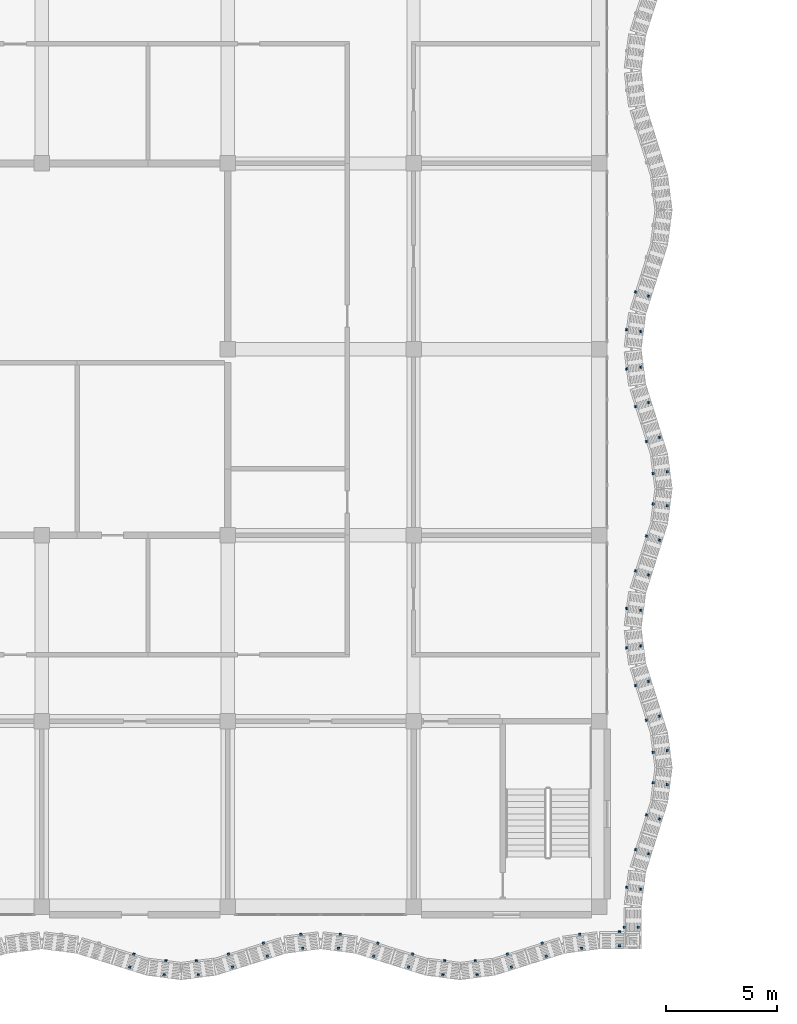
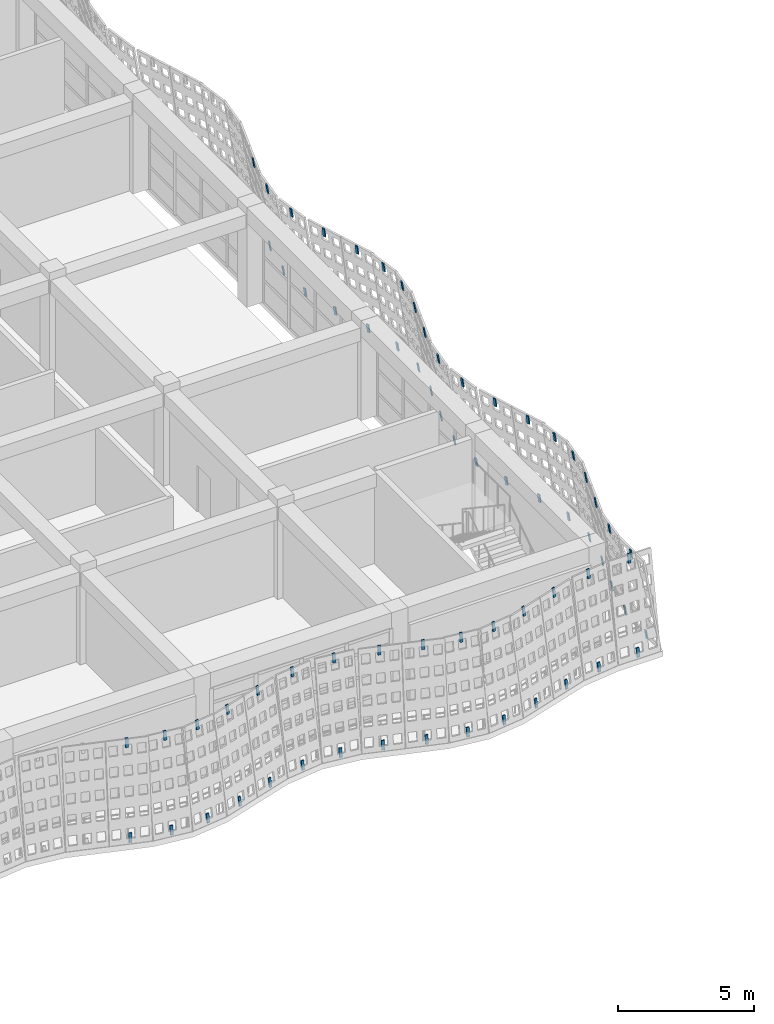
# One storey, part 101 of 162: 68 discrete accessories.
"""IFC4 building model written with IfcOpenShell, lengths in metres."""

from ifc_helpers import new_model, si_unit, direction, frame, origin, origin_2d, place, context, subcontext, project, spatial, rectangle, extrude, material, material_profile, profile_set, type_object, element, save


model = new_model("IFC4")

# Units and contexts
model_context = context("Model", 3, precision=1e-05, world=origin(), true_north=direction((0.0, 1.0)))
body_context = subcontext(model_context, "Body", "Model", "MODEL_VIEW")
ifc_project = project(units=[si_unit("LENGTHUNIT", "METRE"), si_unit("AREAUNIT", "SQUARE_METRE"), si_unit("VOLUMEUNIT", "CUBIC_METRE"), si_unit("PLANEANGLEUNIT", "RADIAN"), si_unit("MASSUNIT", "GRAM", prefix="KILO")], contexts=[model_context])

# Site, building, storey
site_placement = place(None, origin())
site = spatial("IfcSite", under=ifc_project, at=site_placement, CompositionType="ELEMENT")
building_placement = place(site_placement, origin())
building = spatial("IfcBuilding", under=site, at=building_placement, Name="Rain Tree Exposition and Congress Centre", CompositionType="ELEMENT")
storey_placement = place(building_placement, frame((0.0, 0.0, 6.0)))
storey = spatial("IfcBuildingStorey", under=building, at=storey_placement, Name="L01", CompositionType="ELEMENT", Elevation=6.0)

# Discrete accessories
ifc_material = material(Name="Steel S355J2", Category="steel")
ifc_material_profile = material_profile(ifc_material, rectangle(XDim=0.1201171875, YDim=0.050048828125, at=origin_2d()), Name="Flat bar 120x50")
ifc_profile_set = profile_set([ifc_material_profile], Name="Steel S355J2")
discrete_accessory_type = type_object("IfcDiscreteAccessoryType", Name="Screen bracket 120x50", PredefinedType="BRACKET", material=ifc_profile_set)
for number, where, z_axis, x_axis, name in (
    (1, (29.35009765625, -2.159423828125, 3.85107421875), (0.047601548727, 0.150738237635, 0.987426997946), (-0.953582665134, 0.301131367937, 0.0), "wing/bracket/L01/0191t"),
    (2, (29.16552734375, -2.74658203125, 0.00390625), (0.047601548727, 0.150738237635, 0.987426997946), (-0.953582665134, 0.301131367937, 0.0), "wing/bracket/L01/0191b"),
):
    element("IfcDiscreteAccessory", number, at=place(storey_placement, frame(where, z_axis=z_axis, x_axis=x_axis)), inside=storey, type_object=discrete_accessory_type, Name=name, PredefinedType="BRACKET", context=body_context, shape_type="SweptSolid", body=[
        extrude(rectangle(XDim=0.1201171875, YDim=0.050048828125, at=origin_2d()), origin(), (0.0, 0.0, 1.0), 0.400146484375),
    ])
for number, where, z_axis, x_axis, name in (
    (3, (30.806884765625, -2.458984375, 3.851318359375), (0.021363835031, 0.162975541524, 0.986398783159), (-0.991517377774, 0.129974188098, 0.0), "wing/bracket/L01/0201t"),
    (4, (30.724365234375, -3.093505859375, 0.004150390625), (0.021363835031, 0.162975541524, 0.986398783159), (-0.991517377774, 0.129974188098, 0.0), "wing/bracket/L01/0201b"),
    (5, (32.193115234375, -2.458984375, 3.851318359375), (-0.021363835031, 0.162975541524, 0.986398783159), (-0.991517377774, -0.129974188098, 0.0), "wing/bracket/L01/0211t"),
    (6, (32.275634765625, -3.093505859375, 0.004150390625), (-0.021363835031, 0.162975541524, 0.986398783159), (-0.991517377774, -0.129974188098, 0.0), "wing/bracket/L01/0211b"),
):
    element("IfcDiscreteAccessory", number, at=place(storey_placement, frame(where, z_axis=z_axis, x_axis=x_axis)), inside=storey, type_object=discrete_accessory_type, Name=name, PredefinedType="BRACKET", context=body_context, shape_type="SweptSolid", body=[
        extrude(rectangle(XDim=0.1201171875, YDim=0.050048828125, at=origin_2d()), origin(), (0.0, 0.0, 1.0), 0.39990234375),
    ])
for number, where, z_axis, x_axis, name in (
    (7, (33.64990234375, -2.159423828125, 3.85107421875), (-0.047601548727, 0.150738237635, 0.987426997946), (-0.953582665134, -0.301131367937, 0.0), "wing/bracket/L01/0221t"),
    (8, (33.83447265625, -2.74658203125, 0.00390625), (-0.047601548727, 0.150738237635, 0.987426997946), (-0.953582665134, -0.301131367937, 0.0), "wing/bracket/L01/0221b"),
    (9, (35.221435546875, -1.66552734375, 3.85107421875), (-0.04699262887, 0.150742588713, 0.987455500152), (-0.954686073127, -0.297614686764, 0.0), "wing/bracket/L01/0231t"),
    (10, (35.406005859375, -2.252685546875, 0.00390625), (-0.04699262887, 0.150742588713, 0.987455500152), (-0.954686073127, -0.297614686764, 0.0), "wing/bracket/L01/0231b"),
):
    element("IfcDiscreteAccessory", number, at=place(storey_placement, frame(where, z_axis=z_axis, x_axis=x_axis)), inside=storey, type_object=discrete_accessory_type, Name=name, PredefinedType="BRACKET", context=body_context, shape_type="SweptSolid", body=[
        extrude(rectangle(XDim=0.1201171875, YDim=0.050048828125, at=origin_2d()), origin(), (0.0, 0.0, 1.0), 0.400146484375),
    ])
for number, where, z_axis, x_axis, name in (
    (11, (36.91650390625, -1.26416015625, 3.851318359375), (-0.021365956631, 0.162381270396, 0.986496740452), (-0.991454295543, -0.130454512571, 0.0), "wing/bracket/L01/0241t"),
    (12, (36.998779296875, -1.898681640625, 0.004150390625), (-0.020753706516, 0.162977636468, 0.986411462665), (-0.991989449114, -0.12632075382, 0.0), "wing/bracket/L01/0241b"),
    (13, (38.68359375, -1.26416015625, 3.851318359375), (0.021365956631, 0.162381270396, 0.986496740452), (-0.991454295543, 0.130454512571, 0.0), "wing/bracket/L01/0251t"),
    (14, (38.60107421875, -1.898681640625, 0.004150390625), (0.021363835031, 0.162975541524, 0.986398783159), (-0.991517377774, 0.129974188098, 0.0), "wing/bracket/L01/0251b"),
):
    element("IfcDiscreteAccessory", number, at=place(storey_placement, frame(where, z_axis=z_axis, x_axis=x_axis)), inside=storey, type_object=discrete_accessory_type, Name=name, PredefinedType="BRACKET", context=body_context, shape_type="SweptSolid", body=[
        extrude(rectangle(XDim=0.1201171875, YDim=0.050048828125, at=origin_2d()), origin(), (0.0, 0.0, 1.0), 0.39990234375),
    ])
for number, where, z_axis, x_axis, name in (
    (15, (40.37841796875, -1.66552734375, 3.85107421875), (0.047601548727, 0.150738237635, 0.987426997946), (-0.953582665134, 0.301131367937, 0.0), "wing/bracket/L01/0261t"),
    (16, (40.194091796875, -2.252685546875, 0.00390625), (0.04699262887, 0.150742588713, 0.987455500152), (-0.954686073127, 0.297614686764, 0.0), "wing/bracket/L01/0261b"),
    (17, (41.9501953125, -2.159423828125, 3.85107421875), (0.04699262887, 0.150742588713, 0.987455500152), (-0.954686073127, 0.297614686764, 0.0), "wing/bracket/L01/0271t"),
    (18, (41.765625, -2.74658203125, 0.00390625), (0.047601548727, 0.150738237635, 0.987426997946), (-0.953582665134, 0.301131367937, 0.0), "wing/bracket/L01/0271b"),
):
    element("IfcDiscreteAccessory", number, at=place(storey_placement, frame(where, z_axis=z_axis, x_axis=x_axis)), inside=storey, type_object=discrete_accessory_type, Name=name, PredefinedType="BRACKET", context=body_context, shape_type="SweptSolid", body=[
        extrude(rectangle(XDim=0.1201171875, YDim=0.050048828125, at=origin_2d()), origin(), (0.0, 0.0, 1.0), 0.400146484375),
    ])
for number, where, z_axis, x_axis, name in (
    (19, (43.406982421875, -2.458984375, 3.851318359375), (0.020753706516, 0.162977636468, 0.986411462665), (-0.991989449114, 0.12632075382, 0.0), "wing/bracket/L01/0281t"),
    (20, (43.324462890625, -3.093505859375, 0.004150390625), (0.021363835031, 0.162975541524, 0.986398783159), (-0.991517377774, 0.129974188098, 0.0), "wing/bracket/L01/0281b"),
    (21, (44.79296875, -2.458984375, 3.851318359375), (-0.020753706516, 0.162977636468, 0.986411462665), (-0.991989449114, -0.12632075382, 0.0), "wing/bracket/L01/0291t"),
    (22, (44.87548828125, -3.093505859375, 0.004150390625), (-0.020753706516, 0.162977636468, 0.986411462665), (-0.991989449114, -0.12632075382, 0.0), "wing/bracket/L01/0291b"),
):
    element("IfcDiscreteAccessory", number, at=place(storey_placement, frame(where, z_axis=z_axis, x_axis=x_axis)), inside=storey, type_object=discrete_accessory_type, Name=name, PredefinedType="BRACKET", context=body_context, shape_type="SweptSolid", body=[
        extrude(rectangle(XDim=0.1201171875, YDim=0.050048828125, at=origin_2d()), origin(), (0.0, 0.0, 1.0), 0.39990234375),
    ])
for number, where, z_axis, x_axis, name in (
    (23, (46.25, -2.159423828125, 3.85107421875), (-0.047601548727, 0.150738237635, 0.987426997946), (-0.953582665134, -0.301131367937, 0.0), "wing/bracket/L01/0301t"),
    (24, (46.434326171875, -2.74658203125, 0.00390625), (-0.047601548727, 0.150738237635, 0.987426997946), (-0.953582665134, -0.301131367937, 0.0), "wing/bracket/L01/0301b"),
    (25, (47.821533203125, -1.66552734375, 3.85107421875), (-0.047601548727, 0.150738237635, 0.987426997946), (-0.953582665134, -0.301131367937, 0.0), "wing/bracket/L01/0311t"),
    (26, (48.006103515625, -2.252685546875, 0.00390625), (-0.047601548727, 0.150738237635, 0.987426997946), (-0.953582665134, -0.301131367937, 0.0), "wing/bracket/L01/0311b"),
):
    element("IfcDiscreteAccessory", number, at=place(storey_placement, frame(where, z_axis=z_axis, x_axis=x_axis)), inside=storey, type_object=discrete_accessory_type, Name=name, PredefinedType="BRACKET", context=body_context, shape_type="SweptSolid", body=[
        extrude(rectangle(XDim=0.1201171875, YDim=0.050048828125, at=origin_2d()), origin(), (0.0, 0.0, 1.0), 0.400146484375),
    ])
for number, where, z_axis, x_axis, name in (
    (27, (49.516357421875, -1.26416015625, 3.851318359375), (-0.021365956631, 0.162381270396, 0.986496740452), (-0.991454295543, -0.130454512571, 0.0), "wing/bracket/L01/0321t"),
    (28, (49.598876953125, -1.898681640625, 0.004150390625), (-0.020753706516, 0.162977636468, 0.986411462665), (-0.991989449114, -0.12632075382, 0.0), "wing/bracket/L01/0321b"),
    (29, (51.310302734375, -1.14990234375, 3.851318359375), (0.0, 0.164794877674, 0.986327860446), (-1.0, 0.0, 0.0), "wing/bracket/L01/0331t"),
):
    element("IfcDiscreteAccessory", number, at=place(storey_placement, frame(where, z_axis=z_axis, x_axis=x_axis)), inside=storey, type_object=discrete_accessory_type, Name=name, PredefinedType="BRACKET", context=body_context, shape_type="SweptSolid", body=[
        extrude(rectangle(XDim=0.1201171875, YDim=0.050048828125, at=origin_2d()), origin(), (0.0, 0.0, 1.0), 0.39990234375),
    ])
for number, where, z_axis, x_axis, name in (
    (30, (51.310302734375, -1.795166015625, 0.004150390625), (0.0, 0.165388563864, 0.986228484147), (-1.0, 0.0, 0.0), "wing/bracket/L01/0331b"),
    (31, (51.550048828125, -0.91015625, 3.851318359375), (-0.165388563864, 0.0, 0.986228484147), (0.0, -1.0, 0.0), "wing/bracket/L01/0341t"),
    (32, (52.1953125, -0.91015625, 0.004150390625), (-0.16598207031, 0.0, 0.986128770666), (0.0, -1.0, 0.0), "wing/bracket/L01/0341b"),
):
    element("IfcDiscreteAccessory", number, at=place(storey_placement, frame(where, z_axis=z_axis, x_axis=x_axis)), inside=storey, type_object=discrete_accessory_type, Name=name, PredefinedType="BRACKET", context=body_context, shape_type="SweptSolid", body=[
        extrude(rectangle(XDim=0.1201171875, YDim=0.050048828125, at=origin_2d()), origin(), (0.0, 0.0, 1.0), 0.400146484375),
    ])
for number, where, z_axis, x_axis, name in (
    (33, (51.664306640625, 0.883544921875, 3.851318359375), (-0.162975541524, 0.021363835031, 0.986398783159), (-0.129974188098, -0.991517377774, 0.0), "wing/bracket/L01/0351t"),
    (34, (52.298583984375, 0.801025390625, 0.004150390625), (-0.162975541524, 0.021363835031, 0.986398783159), (-0.129974188098, -0.991517377774, 0.0), "wing/bracket/L01/0351b"),
    (35, (52.0654296875, 2.57861328125, 3.85107421875), (-0.150146080534, 0.046996943907, 0.987546171966), (-0.298716747751, -0.954341817491, 0.0), "wing/bracket/L01/0361t"),
):
    element("IfcDiscreteAccessory", number, at=place(storey_placement, frame(where, z_axis=z_axis, x_axis=x_axis)), inside=storey, type_object=discrete_accessory_type, Name=name, PredefinedType="BRACKET", context=body_context, shape_type="SweptSolid", body=[
        extrude(rectangle(XDim=0.1201171875, YDim=0.050048828125, at=origin_2d()), origin(), (0.0, 0.0, 1.0), 0.39990234375),
    ])
for number, where, z_axis, x_axis, name in (
    (36, (52.652587890625, 2.39404296875, 0.00390625), (-0.150742588713, 0.04699262887, 0.987455500152), (-0.297614686764, -0.954686073127, 0.0), "wing/bracket/L01/0361b"),
    (37, (52.5595703125, 4.150146484375, 3.85107421875), (-0.150738237635, 0.047601548727, 0.987426997946), (-0.301131367937, -0.953582665134, 0.0), "wing/bracket/L01/0371t"),
):
    element("IfcDiscreteAccessory", number, at=place(storey_placement, frame(where, z_axis=z_axis, x_axis=x_axis)), inside=storey, type_object=discrete_accessory_type, Name=name, PredefinedType="BRACKET", context=body_context, shape_type="SweptSolid", body=[
        extrude(rectangle(XDim=0.1201171875, YDim=0.050048828125, at=origin_2d()), origin(), (0.0, 0.0, 1.0), 0.400146484375),
    ])
for number, where, z_axis, x_axis, name in (
    (38, (53.146484375, 3.965576171875, 0.00390625), (-0.150141745877, 0.047605919425, 0.987517661908), (-0.302243860734, -0.953230637699, 0.0), "wing/bracket/L01/0371b"),
    (39, (52.85888671875, 5.60693359375, 3.851318359375), (-0.162381270396, 0.021365956631, 0.986496740452), (-0.130454512571, -0.991454295543, 0.0), "wing/bracket/L01/0381t"),
    (40, (53.493408203125, 5.5244140625, 0.004150390625), (-0.162975541524, 0.021363835031, 0.986398783159), (-0.129974188098, -0.991517377774, 0.0), "wing/bracket/L01/0381b"),
    (41, (52.85888671875, 6.992919921875, 3.851318359375), (-0.162383358115, -0.020755767579, 0.986509423736), (0.126788023985, -0.991929834703, 0.0), "wing/bracket/L01/0391t"),
    (42, (53.493408203125, 7.07568359375, 0.004150390625), (-0.162975541524, -0.021363835031, 0.986398783159), (0.129974188098, -0.991517377774, 0.0), "wing/bracket/L01/0391b"),
):
    element("IfcDiscreteAccessory", number, at=place(storey_placement, frame(where, z_axis=z_axis, x_axis=x_axis)), inside=storey, type_object=discrete_accessory_type, Name=name, PredefinedType="BRACKET", context=body_context, shape_type="SweptSolid", body=[
        extrude(rectangle(XDim=0.1201171875, YDim=0.050048828125, at=origin_2d()), origin(), (0.0, 0.0, 1.0), 0.39990234375),
    ])
discrete_accessory_1_placement = place(storey_placement, frame((52.5595703125, 8.449951171875, 3.85107421875), z_axis=(-0.150738237635, -0.047601548727, 0.987426997946), x_axis=(0.301131367937, -0.953582665134, 0.0)))
element("IfcDiscreteAccessory", 43, at=discrete_accessory_1_placement, inside=storey, type_object=discrete_accessory_type, Name="wing/bracket/L01/0401t", PredefinedType="BRACKET", context=body_context, shape_type="SweptSolid", body=[
    extrude(rectangle(XDim=0.1201171875, YDim=0.050048828125, at=origin_2d()), origin(), (0.0, 0.0, 1.0), 0.400146484375),
])
for number, where, z_axis, x_axis, name in (
    (44, (53.146484375, 8.634521484375, 0.00390625), (-0.150141745877, -0.047605919425, 0.987517661908), (0.302243860734, -0.953230637699, 0.0), "wing/bracket/L01/0401b"),
    (45, (52.0654296875, 10.021484375, 3.85107421875), (-0.150146080534, -0.046996943907, 0.987546171966), (0.298716747751, -0.954341817491, 0.0), "wing/bracket/L01/0411t"),
):
    element("IfcDiscreteAccessory", number, at=place(storey_placement, frame(where, z_axis=z_axis, x_axis=x_axis)), inside=storey, type_object=discrete_accessory_type, Name=name, PredefinedType="BRACKET", context=body_context, shape_type="SweptSolid", body=[
        extrude(rectangle(XDim=0.1201171875, YDim=0.050048828125, at=origin_2d()), origin(), (0.0, 0.0, 1.0), 0.39990234375),
    ])
discrete_accessory_2_placement = place(storey_placement, frame((52.652587890625, 10.2060546875, 0.00390625), z_axis=(-0.150738237635, -0.047601548727, 0.987426997946), x_axis=(0.301131367937, -0.953582665134, 0.0)))
element("IfcDiscreteAccessory", 46, at=discrete_accessory_2_placement, inside=storey, type_object=discrete_accessory_type, Name="wing/bracket/L01/0411b", PredefinedType="BRACKET", context=body_context, shape_type="SweptSolid", body=[
    extrude(rectangle(XDim=0.1201171875, YDim=0.050048828125, at=origin_2d()), origin(), (0.0, 0.0, 1.0), 0.400146484375),
])
for number, where, z_axis, x_axis, name in (
    (47, (51.664306640625, 11.71630859375, 3.851318359375), (-0.162977636468, -0.020753706516, 0.986411462665), (0.12632075382, -0.991989449114, 0.0), "wing/bracket/L01/0421t"),
    (48, (52.298583984375, 11.798828125, 0.004150390625), (-0.162977636468, -0.020753706516, 0.986411462665), (0.12632075382, -0.991989449114, 0.0), "wing/bracket/L01/0421b"),
    (49, (51.664306640625, 13.483642578125, 3.851318359375), (-0.162975541524, 0.021363835031, 0.986398783159), (-0.129974188098, -0.991517377774, 0.0), "wing/bracket/L01/0431t"),
    (50, (52.298583984375, 13.401123046875, 0.004150390625), (-0.162977636468, 0.020753706516, 0.986411462665), (-0.12632075382, -0.991989449114, 0.0), "wing/bracket/L01/0431b"),
    (51, (52.0654296875, 15.178466796875, 3.85107421875), (-0.150141745877, 0.047605919425, 0.987517661908), (-0.302243860734, -0.953230637699, 0.0), "wing/bracket/L01/0441t"),
):
    element("IfcDiscreteAccessory", number, at=place(storey_placement, frame(where, z_axis=z_axis, x_axis=x_axis)), inside=storey, type_object=discrete_accessory_type, Name=name, PredefinedType="BRACKET", context=body_context, shape_type="SweptSolid", body=[
        extrude(rectangle(XDim=0.1201171875, YDim=0.050048828125, at=origin_2d()), origin(), (0.0, 0.0, 1.0), 0.39990234375),
    ])
for number, where, z_axis, x_axis, name in (
    (52, (52.652587890625, 14.993896484375, 0.00390625), (-0.150738237635, 0.047601548727, 0.987426997946), (-0.301131367937, -0.953582665134, 0.0), "wing/bracket/L01/0441b"),
    (53, (52.5595703125, 16.75, 3.85107421875), (-0.150738237635, 0.047601548727, 0.987426997946), (-0.301131367937, -0.953582665134, 0.0), "wing/bracket/L01/0451t"),
):
    element("IfcDiscreteAccessory", number, at=place(storey_placement, frame(where, z_axis=z_axis, x_axis=x_axis)), inside=storey, type_object=discrete_accessory_type, Name=name, PredefinedType="BRACKET", context=body_context, shape_type="SweptSolid", body=[
        extrude(rectangle(XDim=0.1201171875, YDim=0.050048828125, at=origin_2d()), origin(), (0.0, 0.0, 1.0), 0.400146484375),
    ])
for number, where, z_axis, x_axis, name in (
    (54, (53.146484375, 16.565673828125, 0.00390625), (-0.150141745877, 0.047605919425, 0.987517661908), (-0.302243860734, -0.953230637699, 0.0), "wing/bracket/L01/0451b"),
    (55, (52.85888671875, 18.20703125, 3.851318359375), (-0.162383358115, 0.020755767579, 0.986509423736), (-0.126788023985, -0.991929834703, 0.0), "wing/bracket/L01/0461t"),
    (56, (53.493408203125, 18.12451171875, 0.004150390625), (-0.162977636468, 0.020753706516, 0.986411462665), (-0.12632075382, -0.991989449114, 0.0), "wing/bracket/L01/0461b"),
    (57, (52.85888671875, 19.593017578125, 3.851318359375), (-0.162383358115, -0.020755767579, 0.986509423736), (0.126788023985, -0.991929834703, 0.0), "wing/bracket/L01/0471t"),
    (58, (53.493408203125, 19.675537109375, 0.004150390625), (-0.162975541524, -0.021363835031, 0.986398783159), (0.129974188098, -0.991517377774, 0.0), "wing/bracket/L01/0471b"),
):
    element("IfcDiscreteAccessory", number, at=place(storey_placement, frame(where, z_axis=z_axis, x_axis=x_axis)), inside=storey, type_object=discrete_accessory_type, Name=name, PredefinedType="BRACKET", context=body_context, shape_type="SweptSolid", body=[
        extrude(rectangle(XDim=0.1201171875, YDim=0.050048828125, at=origin_2d()), origin(), (0.0, 0.0, 1.0), 0.39990234375),
    ])
discrete_accessory_3_placement = place(storey_placement, frame((52.5595703125, 21.0498046875, 3.85107421875), z_axis=(-0.150742588713, -0.04699262887, 0.987455500152), x_axis=(0.297614686764, -0.954686073127, 0.0)))
element("IfcDiscreteAccessory", 59, at=discrete_accessory_3_placement, inside=storey, type_object=discrete_accessory_type, Name="wing/bracket/L01/0481t", PredefinedType="BRACKET", context=body_context, shape_type="SweptSolid", body=[
    extrude(rectangle(XDim=0.1201171875, YDim=0.050048828125, at=origin_2d()), origin(), (0.0, 0.0, 1.0), 0.400146484375),
])
for number, where, z_axis, x_axis, name in (
    (60, (53.146484375, 21.234375, 0.00390625), (-0.150141745877, -0.047605919425, 0.987517661908), (0.302243860734, -0.953230637699, 0.0), "wing/bracket/L01/0481b"),
    (61, (52.0654296875, 22.62158203125, 3.85107421875), (-0.150141745877, -0.047605919425, 0.987517661908), (0.302243860734, -0.953230637699, 0.0), "wing/bracket/L01/0491t"),
):
    element("IfcDiscreteAccessory", number, at=place(storey_placement, frame(where, z_axis=z_axis, x_axis=x_axis)), inside=storey, type_object=discrete_accessory_type, Name=name, PredefinedType="BRACKET", context=body_context, shape_type="SweptSolid", body=[
        extrude(rectangle(XDim=0.1201171875, YDim=0.050048828125, at=origin_2d()), origin(), (0.0, 0.0, 1.0), 0.39990234375),
    ])
discrete_accessory_4_placement = place(storey_placement, frame((52.652587890625, 22.805908203125, 0.00390625), z_axis=(-0.150742588713, -0.04699262887, 0.987455500152), x_axis=(0.297614686764, -0.954686073127, 0.0)))
element("IfcDiscreteAccessory", 62, at=discrete_accessory_4_placement, inside=storey, type_object=discrete_accessory_type, Name="wing/bracket/L01/0491b", PredefinedType="BRACKET", context=body_context, shape_type="SweptSolid", body=[
    extrude(rectangle(XDim=0.1201171875, YDim=0.050048828125, at=origin_2d()), origin(), (0.0, 0.0, 1.0), 0.400146484375),
])
for number, where, z_axis, x_axis, name in (
    (63, (51.664306640625, 24.31640625, 3.851318359375), (-0.162975541524, -0.021363835031, 0.986398783159), (0.129974188098, -0.991517377774, 0.0), "wing/bracket/L01/0501t"),
    (64, (52.298583984375, 24.39892578125, 0.004150390625), (-0.162975541524, -0.021363835031, 0.986398783159), (0.129974188098, -0.991517377774, 0.0), "wing/bracket/L01/0501b"),
    (65, (51.664306640625, 26.08349609375, 3.851318359375), (-0.162975541524, 0.021363835031, 0.986398783159), (-0.129974188098, -0.991517377774, 0.0), "wing/bracket/L01/0511t"),
    (66, (52.298583984375, 26.001220703125, 0.004150390625), (-0.162977636468, 0.020753706516, 0.986411462665), (-0.12632075382, -0.991989449114, 0.0), "wing/bracket/L01/0511b"),
    (67, (52.0654296875, 27.778564453125, 3.85107421875), (-0.150146080534, 0.046996943907, 0.987546171966), (-0.298716747751, -0.954341817491, 0.0), "wing/bracket/L01/0521t"),
):
    element("IfcDiscreteAccessory", number, at=place(storey_placement, frame(where, z_axis=z_axis, x_axis=x_axis)), inside=storey, type_object=discrete_accessory_type, Name=name, PredefinedType="BRACKET", context=body_context, shape_type="SweptSolid", body=[
        extrude(rectangle(XDim=0.1201171875, YDim=0.050048828125, at=origin_2d()), origin(), (0.0, 0.0, 1.0), 0.39990234375),
    ])
discrete_accessory_5_placement = place(storey_placement, frame((52.652587890625, 27.593994140625, 0.00390625), z_axis=(-0.150742588713, 0.04699262887, 0.987455500152), x_axis=(-0.297614686764, -0.954686073127, 0.0)))
element("IfcDiscreteAccessory", 68, at=discrete_accessory_5_placement, inside=storey, type_object=discrete_accessory_type, Name="wing/bracket/L01/0521b", PredefinedType="BRACKET", context=body_context, shape_type="SweptSolid", body=[
    extrude(rectangle(XDim=0.1201171875, YDim=0.050048828125, at=origin_2d()), origin(), (0.0, 0.0, 1.0), 0.400146484375),
])

save(model, "model.ifc")
